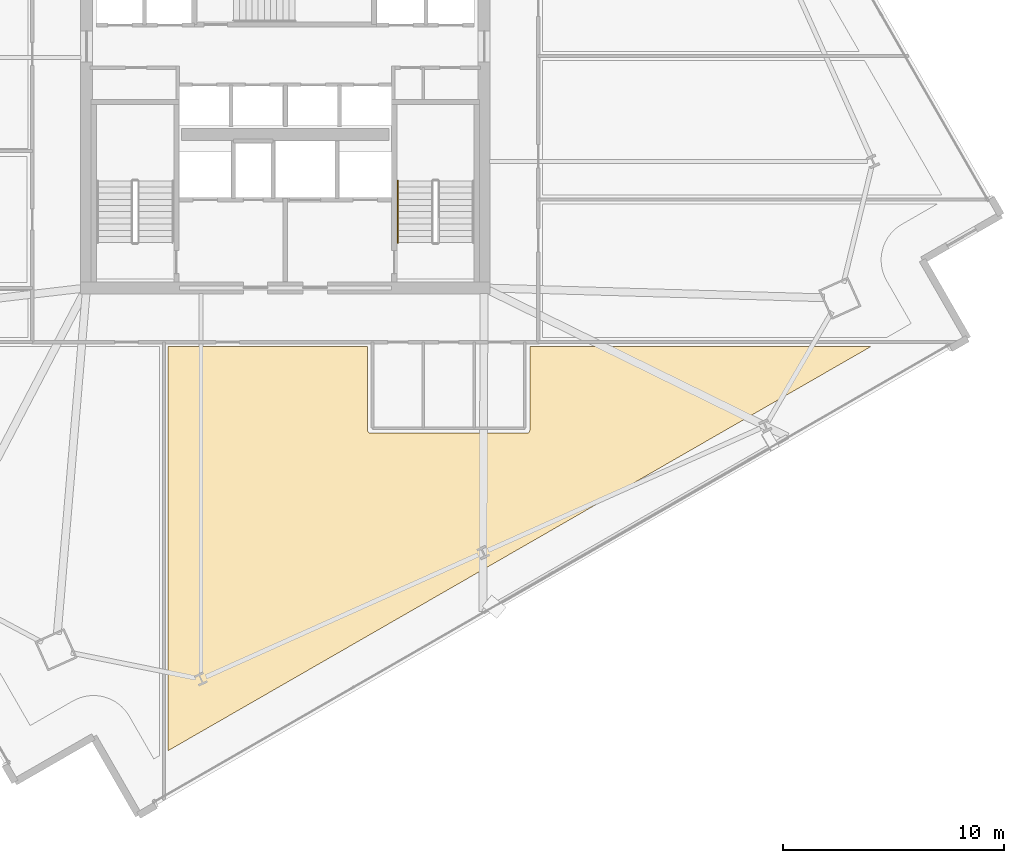
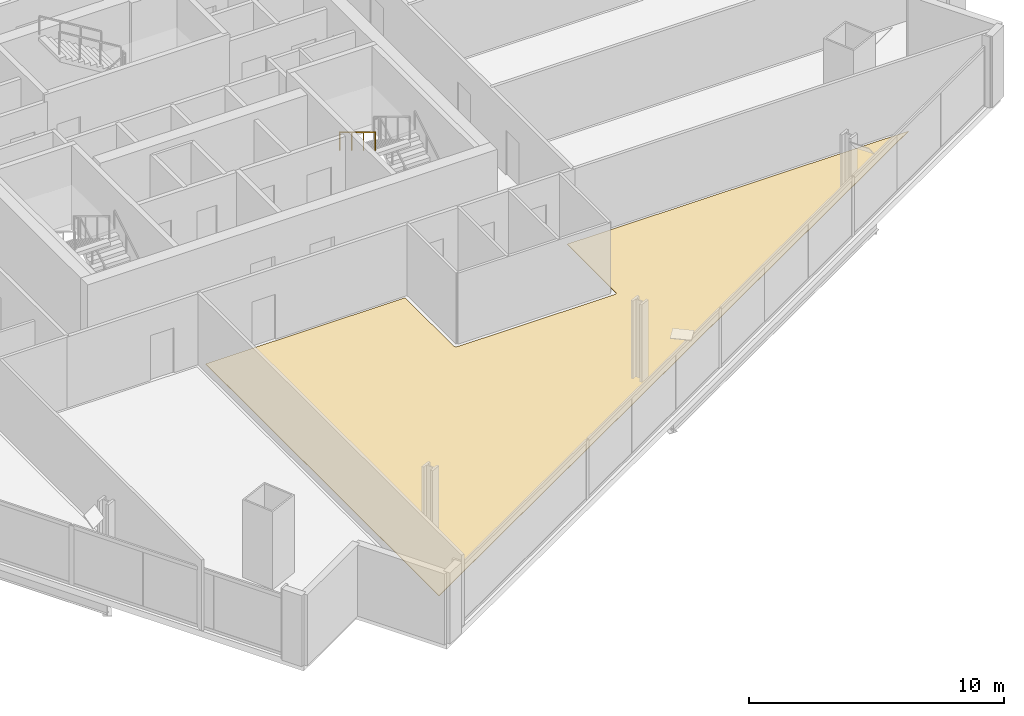
# One storey, part 29 of 33: 1 covering, 1 railing.
"""IFC4 building model written with IfcOpenShell, lengths in metres."""

import ifcopenshell
import ifcopenshell.guid

model = None  # the IFC model being written
_history = None  # IfcOwnerHistory: only IFC2X3 demands one
_inside = {}  # id of a spatial element -> (the spatial element, [elements in it])
_under = {}  # id of a project, library or spatial element -> (it, [spatial elements below it])
_declared = {}  # id of a project -> (the project, [libraries it declares])
_typed = {}  # id of a type object -> (the type object, [elements of that type])
_made_of = {}  # id of a material, layer set ... -> (it, [elements and type objects made of it])


def new_model(schema):
    """Start an empty IFC model of exactly this schema.

    Asked for "IFC4X3", IfcOpenShell would pick the latest addendum, in which some entities
    have other attributes; the version numbers below select the first issue.
    IFC2X3 requires an IfcOwnerHistory on every rooted entity: one is made here for all.
    """
    global model, _history
    if schema == "IFC4X3":
        model = ifcopenshell.file(schema_version=(4, 3, 0, 0))
    else:
        model = ifcopenshell.file(schema=schema)
    _inside.clear()
    _under.clear()
    _declared.clear()
    _typed.clear()
    _made_of.clear()
    _history = None
    if model.schema == "IFC2X3":
        org = make("IfcOrganization", Name="unknown")
        user = make(
            "IfcPersonAndOrganization",
            ThePerson=make("IfcPerson", FamilyName="unknown"),
            TheOrganization=org,
        )
        app = make(
            "IfcApplication",
            ApplicationDeveloper=org,
            Version="unknown",
            ApplicationFullName="unknown",
            ApplicationIdentifier="unknown",
        )
        _history = make(
            "IfcOwnerHistory",
            OwningUser=user,
            OwningApplication=app,
            ChangeAction="ADDED",
            CreationDate=0,
        )
    return model


def make(cls, **values):
    """One entity of the class cls with the attributes given. An attribute that is None is left unset."""
    return model.create_entity(
        cls, **{name: value for name, value in values.items() if value is not None}
    )


def rooted(cls, **values):
    """An entity with a GlobalId (a new one), such as an element, a storey or a relation."""
    return make(cls, GlobalId=ifcopenshell.guid.new(), OwnerHistory=_history, **values)


def si_unit(unit_type, name, prefix=None):
    """IfcSIUnit, for example si_unit("LENGTHUNIT", "METRE", prefix="MILLI")."""
    return make("IfcSIUnit", UnitType=unit_type, Prefix=prefix, Name=name)


def assignment(units):
    """IfcUnitAssignment: the units of a project."""
    return None if units is None else make("IfcUnitAssignment", Units=units)


def point(xyz):
    """IfcCartesianPoint."""
    return None if xyz is None else make("IfcCartesianPoint", Coordinates=xyz)


def direction(xyz):
    """IfcDirection."""
    return None if xyz is None else make("IfcDirection", DirectionRatios=xyz)


def frame(location, z_axis=None, x_axis=None):
    """IfcAxis2Placement3D, a coordinate frame: its origin and axes. An axis left out is left unset."""
    return make(
        "IfcAxis2Placement3D",
        Location=point(location),
        Axis=direction(z_axis),
        RefDirection=direction(x_axis),
    )


def frame_2d(location, x_axis=None):
    """IfcAxis2Placement2D, a coordinate frame in the plane: its origin and x axis."""
    return make(
        "IfcAxis2Placement2D", Location=point(location), RefDirection=direction(x_axis)
    )


def origin():
    """The frame at (0, 0, 0) with its axes left unset."""
    return frame((0.0, 0.0, 0.0))


def origin_2d():
    """The frame at (0, 0) in the plane with its x axis left unset."""
    return frame_2d((0.0, 0.0))


def place(relative_to, where):
    """IfcLocalPlacement: puts the frame where relative to a parent placement (None: the world)."""
    return make(
        "IfcLocalPlacement", PlacementRelTo=relative_to, RelativePlacement=where
    )


def context(
    kind, dimensions, precision=None, world=None, true_north=None, identifier=None
):
    """IfcGeometricRepresentationContext, for example the 3D "Model" context."""
    return make(
        "IfcGeometricRepresentationContext",
        ContextIdentifier=identifier,
        ContextType=kind,
        CoordinateSpaceDimension=dimensions,
        Precision=precision,
        WorldCoordinateSystem=world,
        TrueNorth=true_north,
    )


def subcontext(parent, identifier, kind, view, scale=None):
    """IfcGeometricRepresentationSubContext, for example "Body" below "Model"."""
    return make(
        "IfcGeometricRepresentationSubContext",
        ContextIdentifier=identifier,
        ContextType=kind,
        ParentContext=parent,
        TargetScale=scale,
        TargetView=view,
    )


def project(units=None, contexts=None):
    """IfcProject with its units and contexts."""
    return rooted(
        "IfcProject",
        Name="project",
        RepresentationContexts=contexts,
        UnitsInContext=assignment(units),
    )


def spatial(cls, under=None, at=None, **own):
    """A site, building, storey or space (cls), placed at a placement, below another one or the project."""
    s = rooted(cls, ObjectPlacement=at, **own)
    if under is not None:
        _under.setdefault(under.id(), (under, []))[1].append(s)
    return s


def polyline(points):
    """IfcPolyline through the points."""
    return make("IfcPolyline", Points=[point(p) for p in points])


def profile(cls, at=None, kind="AREA", **sizes):
    """A parametric profile (cls). Its sizes go by their IFC names, for example OverallWidth=200.0."""
    return make(cls, ProfileType=kind, Position=at, **sizes)


def rectangle(**sizes):
    """IfcRectangleProfileDef."""
    return profile("IfcRectangleProfileDef", **sizes)


def outline(outer, holes=None, kind="AREA"):
    """IfcArbitraryClosedProfileDef: a profile drawn as a closed curve; with holes, ...WithVoids."""
    if holes is None:
        return make("IfcArbitraryClosedProfileDef", ProfileType=kind, OuterCurve=outer)
    return make(
        "IfcArbitraryProfileDefWithVoids",
        ProfileType=kind,
        OuterCurve=outer,
        InnerCurves=holes,
    )


def extrude(swept, where, along, depth):
    """IfcExtrudedAreaSolid: the profile swept, set in the frame where, extruded along a direction by depth."""
    return make(
        "IfcExtrudedAreaSolid",
        SweptArea=swept,
        Position=where,
        ExtrudedDirection=direction(along),
        Depth=depth,
    )


def shape(context_of_items, identifier, shape_type, items):
    """IfcShapeRepresentation: the items that make up one representation, for example the "Body"."""
    return make(
        "IfcShapeRepresentation",
        ContextOfItems=context_of_items,
        RepresentationIdentifier=identifier,
        RepresentationType=shape_type,
        Items=items,
    )


def material(Name=None, Category=None):
    """IfcMaterial."""
    return make("IfcMaterial", Name=Name, Category=Category)


def layer(
    of_material, thickness, ventilated=None, Name=None, Category=None, Priority=None
):
    """IfcMaterialLayer: one layer of a wall or slab, of a material (None: an air gap)."""
    return make(
        "IfcMaterialLayer",
        Material=of_material,
        LayerThickness=thickness,
        IsVentilated=ventilated,
        Name=Name,
        Category=Category,
        Priority=Priority,
    )


def layer_set(layers, Name=None):
    """IfcMaterialLayerSet."""
    return make("IfcMaterialLayerSet", MaterialLayers=layers, LayerSetName=Name)


def made_of(thing, what):
    """Note that an element or type object is made of a material, layer set ...; save() writes the relation."""
    if what is not None:
        _made_of.setdefault(what.id(), (what, []))[1].append(thing)
    return thing


def type_object(cls, material=None, **own):
    """A type object (cls), such as IfcWallType, which elements share."""
    return made_of(rooted(cls, **own), material)


def element(
    cls,
    number,
    at=None,
    inside=None,
    cuts=None,
    type_object=None,
    material=None,
    context=None,
    identifier="Body",
    shape_type=None,
    held_by="IfcProductDefinitionShape",
    body=None,
    shapes=None,
    **own,
):
    """One element of the class cls, such as IfcWall. Its Tag is "e" and its number.

    at: its placement. inside: the storey or other place that contains it. cuts: it is an
    opening in that element (IfcRelVoidsElement). A single representation is given by context,
    identifier, shape_type and body (its items); several are given by shapes. held_by: the class
    of the entity that holds the representations. save() writes the other relations.
    """
    e = rooted(cls, Tag="e%d" % number, ObjectPlacement=at, **own)
    if body is not None:
        shapes = [shape(context, identifier, shape_type, body)]
    if shapes is not None:
        e.Representation = make(held_by, Representations=shapes)
    if inside is not None:
        _inside.setdefault(inside.id(), (inside, []))[1].append(e)
    if cuts is not None:
        rooted(
            "IfcRelVoidsElement", RelatingBuildingElement=cuts, RelatedOpeningElement=e
        )
    if type_object is not None:
        _typed.setdefault(type_object.id(), (type_object, []))[1].append(e)
    return made_of(e, material)


def aggregate(whole, parts):
    """IfcRelAggregates: a whole, such as a stair, and the parts it consists of."""
    return rooted("IfcRelAggregates", RelatingObject=whole, RelatedObjects=parts)


def save(model, path):
    """Write the relations noted so far, then the file.

    IfcRelAggregates (storeys below a building ...), IfcRelContainedInSpatialStructure (elements
    in a storey), IfcRelDefinesByType, IfcRelAssociatesMaterial and IfcRelDeclares: one each for
    every whole, place, type object, material and project.
    """
    for whole, parts in _under.values():
        aggregate(whole, parts)
    for where, things in _inside.values():
        rooted(
            "IfcRelContainedInSpatialStructure",
            RelatedElements=things,
            RelatingStructure=where,
        )
    for kind, things in _typed.values():
        rooted("IfcRelDefinesByType", RelatedObjects=things, RelatingType=kind)
    for what, things in _made_of.values():
        rooted("IfcRelAssociatesMaterial", RelatedObjects=things, RelatingMaterial=what)
    for by, libraries in _declared.values():
        rooted("IfcRelDeclares", RelatingContext=by, RelatedDefinitions=libraries)
    model.write(path)


model = new_model("IFC4")

# Units and contexts
model_context = context("Model", 3, precision=1e-05, world=origin(), true_north=direction((0.0, 1.0)))
body_context = subcontext(model_context, "Body", "Model", "MODEL_VIEW")
ifc_project = project(units=[si_unit("LENGTHUNIT", "METRE"), si_unit("AREAUNIT", "SQUARE_METRE"), si_unit("VOLUMEUNIT", "CUBIC_METRE"), si_unit("PLANEANGLEUNIT", "RADIAN"), si_unit("MASSUNIT", "GRAM", prefix="KILO")], contexts=[model_context])

# Site, building, storey
site_placement = place(None, origin())
site = spatial("IfcSite", under=ifc_project, at=site_placement, CompositionType="ELEMENT")
building_placement = place(site_placement, origin())
building = spatial("IfcBuilding", under=site, at=building_placement, Name="Haldenkirk Collegiate Tower", CompositionType="ELEMENT")
storey_placement = place(building_placement, frame((0.0, 0.0, 127.949951171875)))
storey = spatial("IfcBuildingStorey", under=building, at=storey_placement, Name="L31", CompositionType="ELEMENT", Elevation=127.949951171875)

# Covering
ifc_material_1 = material(Name="Polished collegiate terrazzo", Category="concrete")
ifc_layer = layer(ifc_material_1, 0.02490234375)
ifc_layer_set = layer_set([ifc_layer], Name="Polished collegiate terrazzo")
covering_type = type_object("IfcCoveringType", Name="COV-FLOOR-TERRAZZO", PredefinedType="FLOORING", material=ifc_layer_set)
covering_placement = place(storey_placement, origin())
element("IfcCovering", 1, at=covering_placement, inside=storey, type_object=covering_type, Name="L31 academic room finish 04", PredefinedType="FLOORING", context=body_context, shape_type="SweptSolid", body=[
    extrude(outline(polyline([(39.72998046875, 11.550048828125), (39.730712890625, 11.5380859375), (39.732421875, 11.526611328125), (39.735107421875, 11.51513671875), (39.739013671875, 11.504150390625), (39.744140625, 11.493408203125), (39.750244140625, 11.4833984375), (39.757080078125, 11.473876953125), (39.76513671875, 11.465087890625), (39.77392578125, 11.457275390625), (39.783203125, 11.4501953125), (39.79345703125, 11.444091796875), (39.80419921875, 11.439208984375), (39.815185546875, 11.435302734375), (39.82666015625, 11.432373046875), (39.838134765625, 11.4306640625), (39.85009765625, 11.429931640625), (46.949951171875, 11.429931640625), (46.9619140625, 11.4306640625), (46.973388671875, 11.432373046875), (46.98486328125, 11.435302734375), (46.995849609375, 11.439208984375), (47.006591796875, 11.444091796875), (47.0166015625, 11.4501953125), (47.026123046875, 11.457275390625), (47.034912109375, 11.465087890625), (47.042724609375, 11.473876953125), (47.0498046875, 11.4833984375), (47.055908203125, 11.493408203125), (47.060791015625, 11.504150390625), (47.064697265625, 11.51513671875), (47.067626953125, 11.526611328125), (47.0693359375, 11.5380859375), (47.070068359375, 11.550048828125), (47.070068359375, 15.35009765625), (62.525390625, 15.35009765625), (30.699951171875, -2.950439453125), (30.699951171875, 15.35009765625), (39.72998046875, 15.35009765625), (39.72998046875, 11.550048828125)])), origin(), (0.0, 0.0, 1.0), 0.025146484375),
])

# Railing
ifc_material_2 = material(Name="Painted architectural tubular steel", Category="steel")
railing_type = type_object("IfcRailingType", Name="RLG-STAIR-HANDRAIL-900", PredefinedType="HANDRAIL", material=ifc_material_2)
railing_placement = place(storey_placement, frame((41.10009765625, 22.85009765625, 2.04541015625)))
element("IfcRailing", 2, at=railing_placement, inside=storey, type_object=railing_type, Name="L31 ST-2 stair handrail 2", PredefinedType="HANDRAIL", context=body_context, shape_type="SweptSolid", body=[
    extrude(rectangle(XDim=0.048095703125, YDim=0.048095703125, at=origin_2d()), frame((0.0, 0.0, 0.8759765625), z_axis=(0.0, -0.854169791009, 0.51999420009), x_axis=(1.0, 0.0, 0.0)), (0.0, 0.0, 1.0), 3.278076171875),
    extrude(rectangle(XDim=0.0419921875, YDim=0.0419921875, at=origin_2d()), origin(), (0.0, 0.0, 1.0), 0.851806640625),
    extrude(rectangle(XDim=0.0419921875, YDim=0.0419921875, at=origin_2d()), frame((0.0, -0.933349609375, 0.568115234375)), (0.0, 0.0, 1.0), 0.851806640625),
    extrude(rectangle(XDim=0.0419921875, YDim=0.0419921875, at=origin_2d()), frame((0.0, -1.86669921875, 1.136474609375)), (0.0, 0.0, 1.0), 0.851806640625),
    extrude(rectangle(XDim=0.0419921875, YDim=0.0419921875, at=origin_2d()), frame((0.0, -2.800048828125, 1.70458984375)), (0.0, 0.0, 1.0), 0.851806640625),
])

save(model, "model.ifc")
